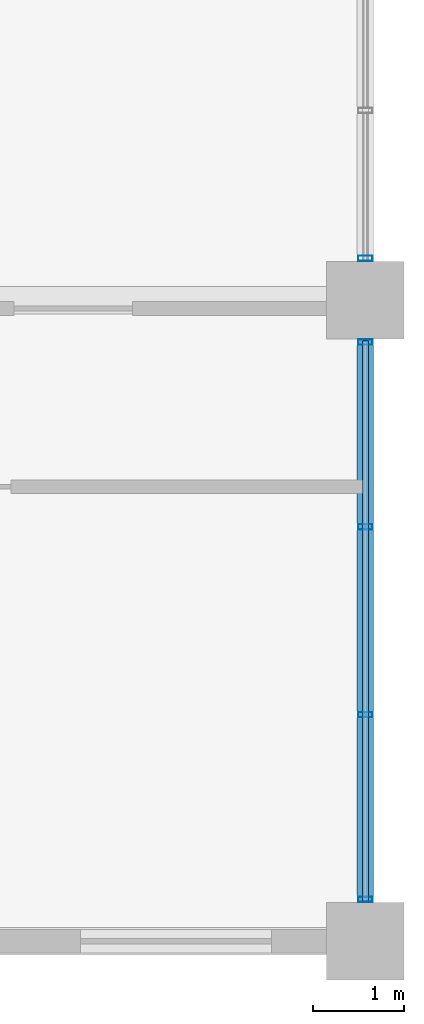
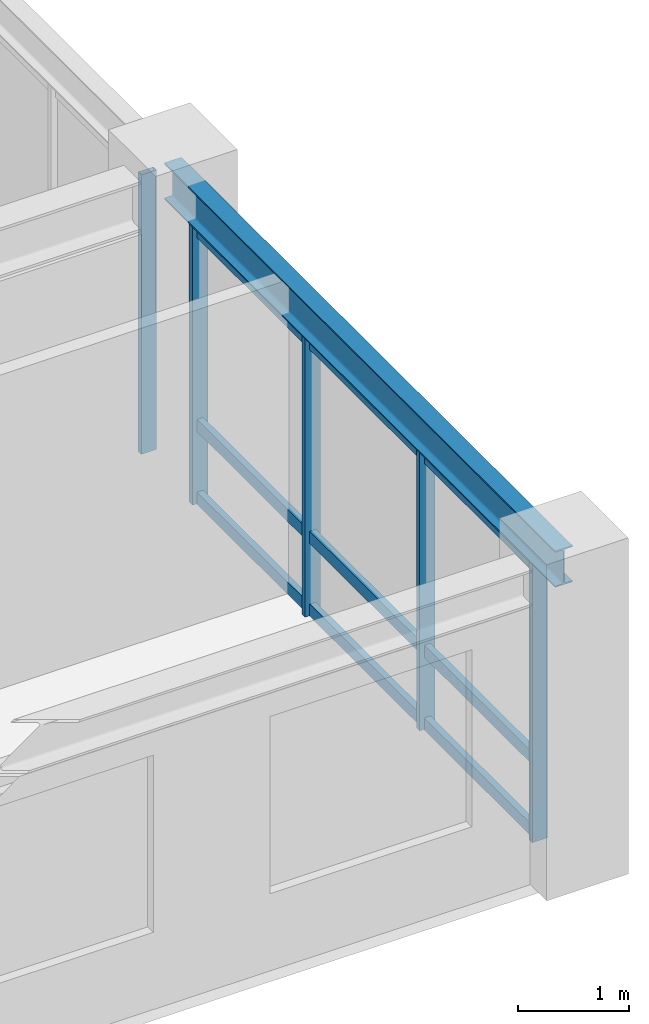
# One storey, part 2 of 11: 8 members, 1 beam, 2 elements without a shape of their own.
"""IFC4 building model written with IfcOpenShell, lengths in metres."""

import ifcopenshell
import ifcopenshell.guid

model = None  # the IFC model being written
_history = None  # IfcOwnerHistory: only IFC2X3 demands one
_inside = {}  # id of a spatial element -> (the spatial element, [elements in it])
_under = {}  # id of a project, library or spatial element -> (it, [spatial elements below it])
_declared = {}  # id of a project -> (the project, [libraries it declares])
_typed = {}  # id of a type object -> (the type object, [elements of that type])
_made_of = {}  # id of a material, layer set ... -> (it, [elements and type objects made of it])


def new_model(schema):
    """Start an empty IFC model of exactly this schema.

    Asked for "IFC4X3", IfcOpenShell would pick the latest addendum, in which some entities
    have other attributes; the version numbers below select the first issue.
    IFC2X3 requires an IfcOwnerHistory on every rooted entity: one is made here for all.
    """
    global model, _history
    if schema == "IFC4X3":
        model = ifcopenshell.file(schema_version=(4, 3, 0, 0))
    else:
        model = ifcopenshell.file(schema=schema)
    _inside.clear()
    _under.clear()
    _declared.clear()
    _typed.clear()
    _made_of.clear()
    _history = None
    if model.schema == "IFC2X3":
        org = make("IfcOrganization", Name="unknown")
        user = make(
            "IfcPersonAndOrganization",
            ThePerson=make("IfcPerson", FamilyName="unknown"),
            TheOrganization=org,
        )
        app = make(
            "IfcApplication",
            ApplicationDeveloper=org,
            Version="unknown",
            ApplicationFullName="unknown",
            ApplicationIdentifier="unknown",
        )
        _history = make(
            "IfcOwnerHistory",
            OwningUser=user,
            OwningApplication=app,
            ChangeAction="ADDED",
            CreationDate=0,
        )
    return model


def make(cls, **values):
    """One entity of the class cls with the attributes given. An attribute that is None is left unset."""
    return model.create_entity(
        cls, **{name: value for name, value in values.items() if value is not None}
    )


def rooted(cls, **values):
    """An entity with a GlobalId (a new one), such as an element, a storey or a relation."""
    return make(cls, GlobalId=ifcopenshell.guid.new(), OwnerHistory=_history, **values)


def si_unit(unit_type, name, prefix=None):
    """IfcSIUnit, for example si_unit("LENGTHUNIT", "METRE", prefix="MILLI")."""
    return make("IfcSIUnit", UnitType=unit_type, Prefix=prefix, Name=name)


def assignment(units):
    """IfcUnitAssignment: the units of a project."""
    return None if units is None else make("IfcUnitAssignment", Units=units)


def point(xyz):
    """IfcCartesianPoint."""
    return None if xyz is None else make("IfcCartesianPoint", Coordinates=xyz)


def direction(xyz):
    """IfcDirection."""
    return None if xyz is None else make("IfcDirection", DirectionRatios=xyz)


def frame(location, z_axis=None, x_axis=None):
    """IfcAxis2Placement3D, a coordinate frame: its origin and axes. An axis left out is left unset."""
    return make(
        "IfcAxis2Placement3D",
        Location=point(location),
        Axis=direction(z_axis),
        RefDirection=direction(x_axis),
    )


def frame_2d(location, x_axis=None):
    """IfcAxis2Placement2D, a coordinate frame in the plane: its origin and x axis."""
    return make(
        "IfcAxis2Placement2D", Location=point(location), RefDirection=direction(x_axis)
    )


def origin():
    """The frame at (0, 0, 0) with its axes left unset."""
    return frame((0.0, 0.0, 0.0))


def origin_2d():
    """The frame at (0, 0) in the plane with its x axis left unset."""
    return frame_2d((0.0, 0.0))


def place(relative_to, where):
    """IfcLocalPlacement: puts the frame where relative to a parent placement (None: the world)."""
    return make(
        "IfcLocalPlacement", PlacementRelTo=relative_to, RelativePlacement=where
    )


def context(
    kind, dimensions, precision=None, world=None, true_north=None, identifier=None
):
    """IfcGeometricRepresentationContext, for example the 3D "Model" context."""
    return make(
        "IfcGeometricRepresentationContext",
        ContextIdentifier=identifier,
        ContextType=kind,
        CoordinateSpaceDimension=dimensions,
        Precision=precision,
        WorldCoordinateSystem=world,
        TrueNorth=true_north,
    )


def subcontext(parent, identifier, kind, view, scale=None):
    """IfcGeometricRepresentationSubContext, for example "Body" below "Model"."""
    return make(
        "IfcGeometricRepresentationSubContext",
        ContextIdentifier=identifier,
        ContextType=kind,
        ParentContext=parent,
        TargetScale=scale,
        TargetView=view,
    )


def project(units=None, contexts=None):
    """IfcProject with its units and contexts."""
    return rooted(
        "IfcProject",
        Name="project",
        RepresentationContexts=contexts,
        UnitsInContext=assignment(units),
    )


def spatial(cls, under=None, at=None, **own):
    """A site, building, storey or space (cls), placed at a placement, below another one or the project."""
    s = rooted(cls, ObjectPlacement=at, **own)
    if under is not None:
        _under.setdefault(under.id(), (under, []))[1].append(s)
    return s


def profile(cls, at=None, kind="AREA", **sizes):
    """A parametric profile (cls). Its sizes go by their IFC names, for example OverallWidth=200.0."""
    return make(cls, ProfileType=kind, Position=at, **sizes)


def hollow_rectangle(**sizes):
    """IfcRectangleHollowProfileDef."""
    return profile("IfcRectangleHollowProfileDef", **sizes)


def i_section(**sizes):
    """IfcIShapeProfileDef."""
    return profile("IfcIShapeProfileDef", **sizes)


def extrude(swept, where, along, depth):
    """IfcExtrudedAreaSolid: the profile swept, set in the frame where, extruded along a direction by depth."""
    return make(
        "IfcExtrudedAreaSolid",
        SweptArea=swept,
        Position=where,
        ExtrudedDirection=direction(along),
        Depth=depth,
    )


def shape(context_of_items, identifier, shape_type, items):
    """IfcShapeRepresentation: the items that make up one representation, for example the "Body"."""
    return make(
        "IfcShapeRepresentation",
        ContextOfItems=context_of_items,
        RepresentationIdentifier=identifier,
        RepresentationType=shape_type,
        Items=items,
    )


def source(mapping_origin, context_of_items, identifier, shape_type, items):
    """IfcRepresentationMap: a shape defined once, which mapped items show again and again."""
    return make(
        "IfcRepresentationMap",
        MappingOrigin=mapping_origin,
        MappedRepresentation=shape(context_of_items, identifier, shape_type, items),
    )


def transform(
    local_origin,
    x_axis=None,
    y_axis=None,
    z_axis=None,
    scale=None,
    scale2=None,
    scale3=None,
    uniform=True,
):
    """IfcCartesianTransformationOperator3D, or its non-uniform kind. x_axis, y_axis, z_axis: its Axis1, 2, 3."""
    if uniform:
        return make(
            "IfcCartesianTransformationOperator3D",
            Axis1=direction(x_axis),
            Axis2=direction(y_axis),
            LocalOrigin=point(local_origin),
            Scale=scale,
            Axis3=direction(z_axis),
        )
    return make(
        "IfcCartesianTransformationOperator3DnonUniform",
        Axis1=direction(x_axis),
        Axis2=direction(y_axis),
        LocalOrigin=point(local_origin),
        Scale=scale,
        Axis3=direction(z_axis),
        Scale2=scale2,
        Scale3=scale3,
    )


def mapped(mapping_source, mapping_target):
    """IfcMappedItem: shows the shape of a source again, moved by a transform."""
    return make(
        "IfcMappedItem", MappingSource=mapping_source, MappingTarget=mapping_target
    )


def material(Name=None, Category=None):
    """IfcMaterial."""
    return make("IfcMaterial", Name=Name, Category=Category)


def layer(
    of_material, thickness, ventilated=None, Name=None, Category=None, Priority=None
):
    """IfcMaterialLayer: one layer of a wall or slab, of a material (None: an air gap)."""
    return make(
        "IfcMaterialLayer",
        Material=of_material,
        LayerThickness=thickness,
        IsVentilated=ventilated,
        Name=Name,
        Category=Category,
        Priority=Priority,
    )


def layer_set(layers, Name=None):
    """IfcMaterialLayerSet."""
    return make("IfcMaterialLayerSet", MaterialLayers=layers, LayerSetName=Name)


def material_profile(
    of_material, cross_section, Name=None, Category=None, Priority=None
):
    """IfcMaterialProfile: a cross section and its material."""
    return make(
        "IfcMaterialProfile",
        Name=Name,
        Material=of_material,
        Profile=cross_section,
        Priority=Priority,
        Category=Category,
    )


def profile_set(profiles, Name=None, composite=None):
    """IfcMaterialProfileSet."""
    return make(
        "IfcMaterialProfileSet",
        Name=Name,
        MaterialProfiles=profiles,
        CompositeProfile=composite,
    )


def made_of(thing, what):
    """Note that an element or type object is made of a material, layer set ...; save() writes the relation."""
    if what is not None:
        _made_of.setdefault(what.id(), (what, []))[1].append(thing)
    return thing


def type_object(cls, material=None, **own):
    """A type object (cls), such as IfcWallType, which elements share."""
    return made_of(rooted(cls, **own), material)


def element(
    cls,
    number,
    at=None,
    inside=None,
    cuts=None,
    type_object=None,
    material=None,
    context=None,
    identifier="Body",
    shape_type=None,
    held_by="IfcProductDefinitionShape",
    body=None,
    shapes=None,
    **own,
):
    """One element of the class cls, such as IfcWall. Its Tag is "e" and its number.

    at: its placement. inside: the storey or other place that contains it. cuts: it is an
    opening in that element (IfcRelVoidsElement). A single representation is given by context,
    identifier, shape_type and body (its items); several are given by shapes. held_by: the class
    of the entity that holds the representations. save() writes the other relations.
    """
    e = rooted(cls, Tag="e%d" % number, ObjectPlacement=at, **own)
    if body is not None:
        shapes = [shape(context, identifier, shape_type, body)]
    if shapes is not None:
        e.Representation = make(held_by, Representations=shapes)
    if inside is not None:
        _inside.setdefault(inside.id(), (inside, []))[1].append(e)
    if cuts is not None:
        rooted(
            "IfcRelVoidsElement", RelatingBuildingElement=cuts, RelatedOpeningElement=e
        )
    if type_object is not None:
        _typed.setdefault(type_object.id(), (type_object, []))[1].append(e)
    return made_of(e, material)


def aggregate(whole, parts):
    """IfcRelAggregates: a whole, such as a stair, and the parts it consists of."""
    return rooted("IfcRelAggregates", RelatingObject=whole, RelatedObjects=parts)


def save(model, path):
    """Write the relations noted so far, then the file.

    IfcRelAggregates (storeys below a building ...), IfcRelContainedInSpatialStructure (elements
    in a storey), IfcRelDefinesByType, IfcRelAssociatesMaterial and IfcRelDeclares: one each for
    every whole, place, type object, material and project.
    """
    for whole, parts in _under.values():
        aggregate(whole, parts)
    for where, things in _inside.values():
        rooted(
            "IfcRelContainedInSpatialStructure",
            RelatedElements=things,
            RelatingStructure=where,
        )
    for kind, things in _typed.values():
        rooted("IfcRelDefinesByType", RelatedObjects=things, RelatingType=kind)
    for what, things in _made_of.values():
        rooted("IfcRelAssociatesMaterial", RelatedObjects=things, RelatingMaterial=what)
    for by, libraries in _declared.values():
        rooted("IfcRelDeclares", RelatingContext=by, RelatedDefinitions=libraries)
    model.write(path)


model = new_model("IFC4")

# Units and contexts
model_context = context("Model", 3, precision=1e-05, world=origin(), true_north=direction((0.0, 1.0)))
body_context = subcontext(model_context, "Body", "Model", "MODEL_VIEW")
ifc_project = project(units=[si_unit("LENGTHUNIT", "METRE"), si_unit("AREAUNIT", "SQUARE_METRE"), si_unit("VOLUMEUNIT", "CUBIC_METRE"), si_unit("PLANEANGLEUNIT", "RADIAN"), si_unit("MASSUNIT", "GRAM", prefix="KILO")], contexts=[model_context])

# Site, building, storey
site_placement = place(None, origin())
site = spatial("IfcSite", under=ifc_project, at=site_placement, CompositionType="ELEMENT")
building_placement = place(site_placement, origin())
building = spatial("IfcBuilding", under=site, at=building_placement, Name="Kaliganga Portal Commons", CompositionType="ELEMENT")
storey_placement = place(building_placement, frame((0.0, 0.0, 272.10009765625)))
storey = spatial("IfcBuildingStorey", under=building, at=storey_placement, Name="L70", CompositionType="ELEMENT", Elevation=272.10009765625)

# Beam
ifc_material_1 = material(Name="Structural steel S355J2", Category="steel")
ifc_material_profile_1 = material_profile(ifc_material_1, i_section(OverallWidth=0.179931640625, OverallDepth=0.39990234375, WebThickness=0.008544921875, FlangeThickness=0.013427734375, FilletRadius=0.02099609375, at=origin_2d()), Name="IPE 400")
ifc_profile_set_1 = profile_set([ifc_material_profile_1], Name="Structural steel S355J2 wide-flange")
beam_type = type_object("IfcBeamType", Name="BM-FLR-400", PredefinedType="BEAM", material=ifc_profile_set_1)
shared_shape_1 = source(origin(), body_context, "Body", "SweptSolid", [
    extrude(i_section(OverallWidth=0.179931640625, OverallDepth=0.39990234375, WebThickness=0.008544921875, FlangeThickness=0.013427734375, FilletRadius=0.02099609375, at=origin_2d()), origin(), (0.0, 0.0, 1.0), 7.0498046875),
])
beam_placement = place(storey_placement, frame((46.800048828125, 21.60009765625, 3.27490234375), z_axis=(0.0, 1.0, 0.0), x_axis=(-1.0, 0.0, 0.0)))
element("IfcBeam", 1, at=beam_placement, inside=storey, type_object=beam_type, Name="BM G L70 AS468", PredefinedType="BEAM", context=body_context, shape_type="MappedRepresentation", body=[
    mapped(shared_shape_1, transform((0.0, 0.0, 0.0), x_axis=(1.0, 0.0, 0.0), y_axis=(0.0, 1.0, 0.0), z_axis=(0.0, 0.0, 1.0), scale=1.0)),
])

# Curtain wall, members
ifc_material_2 = material(Name="Anodized Aluminium and Laminated Low-E Glass", Category="aluminium")
ifc_layer = layer(ifc_material_2, 0.18994140625)
ifc_layer_set = layer_set([ifc_layer], Name="Anodized Aluminium and Laminated Low-E Glass")
curtain_wall_type = type_object("IfcCurtainWallType", Name="CW-SYS-05", PredefinedType="NOTDEFINED", material=ifc_layer_set)
curtain_wall_1_placement = place(storey_placement, origin())
curtain_wall_1 = element("IfcCurtainWall", 2, at=curtain_wall_1_placement, inside=storey, type_object=curtain_wall_type, Name="CW 05 L70 P1E01S1", PredefinedType="NOTDEFINED")
ifc_material_3 = material(Name="Dark Bronze Anodized Aluminium", Category="aluminium")
ifc_material_profile_2 = material_profile(ifc_material_3, hollow_rectangle(XDim=0.06005859375, YDim=0.159912109375, WallThickness=0.00341796875, at=origin_2d()), Name="ALU MULL 60x160x3.5")
ifc_profile_set_2 = profile_set([ifc_material_profile_2], Name="Dark Bronze Anodized Aluminium")
member_type_1 = type_object("IfcMemberType", Name="CW-MUL-160", PredefinedType="MULLION", material=ifc_profile_set_2)
shared_shape_2 = source(origin(), body_context, "Body", "SweptSolid", [
    extrude(hollow_rectangle(XDim=0.06005859375, YDim=0.159912109375, WallThickness=0.00341796875, at=origin_2d()), origin(), (0.0, 0.0, 1.0), 3.074951171875),
])
member_1_placement = place(storey_placement, frame((46.800048828125, 22.06103515625, 0.0), z_axis=(0.0, 0.0, 1.0), x_axis=(0.0, 1.0, 0.0)))
member_1 = element("IfcMember", 3, at=member_1_placement, type_object=member_type_1, Name="CW:05:L70:P1E01S1 Mullion 00", PredefinedType="MULLION", context=body_context, shape_type="MappedRepresentation", body=[
    mapped(shared_shape_2, transform((0.0, 0.0, 0.0), x_axis=(1.0, 0.0, 0.0), y_axis=(0.0, 1.0, 0.0), z_axis=(0.0, 0.0, 1.0), scale=1.0)),
])
member_2_placement = place(storey_placement, frame((46.800048828125, 24.092041015625, 0.0), z_axis=(0.0, 0.0, 1.0), x_axis=(0.0, 1.0, 0.0)))
member_2 = element("IfcMember", 4, at=member_2_placement, type_object=member_type_1, Name="CW:05:L70:P1E01S1 Mullion 01", PredefinedType="MULLION", context=body_context, shape_type="MappedRepresentation", body=[
    mapped(shared_shape_2, transform((0.0, 0.0, 0.0), x_axis=(1.0, 0.0, 0.0), y_axis=(0.0, 1.0, 0.0), z_axis=(0.0, 0.0, 1.0), scale=1.0)),
])
member_3_placement = place(storey_placement, frame((46.800048828125, 26.157958984375, 0.0), z_axis=(0.0, 0.0, 1.0), x_axis=(0.0, 1.0, 0.0)))
member_3 = element("IfcMember", 5, at=member_3_placement, type_object=member_type_1, Name="CW:05:L70:P1E01S1 Mullion 02", PredefinedType="MULLION", context=body_context, shape_type="MappedRepresentation", body=[
    mapped(shared_shape_2, transform((0.0, 0.0, 0.0), x_axis=(1.0, 0.0, 0.0), y_axis=(0.0, 1.0, 0.0), z_axis=(0.0, 0.0, 1.0), scale=1.0)),
])
member_4_placement = place(storey_placement, frame((46.800048828125, 28.18896484375, 0.0), z_axis=(0.0, 0.0, 1.0), x_axis=(0.0, 1.0, 0.0)))
member_4 = element("IfcMember", 6, at=member_4_placement, type_object=member_type_1, Name="CW:05:L70:P1E01S1 Mullion 03", PredefinedType="MULLION", context=body_context, shape_type="MappedRepresentation", body=[
    mapped(shared_shape_2, transform((0.0, 0.0, 0.0), x_axis=(1.0, 0.0, 0.0), y_axis=(0.0, 1.0, 0.0), z_axis=(0.0, 0.0, 1.0), scale=1.0)),
])

# Curtain wall, member
curtain_wall_2_placement = place(storey_placement, origin())
curtain_wall_2 = element("IfcCurtainWall", 7, at=curtain_wall_2_placement, inside=storey, type_object=curtain_wall_type, Name="CW 05 L70 P1E01S2", PredefinedType="NOTDEFINED")
member_5_placement = place(storey_placement, frame((46.800048828125, 29.111083984375, 0.0), z_axis=(0.0, 0.0, 1.0), x_axis=(0.0, 1.0, 0.0)))
member_5 = element("IfcMember", 8, at=member_5_placement, type_object=member_type_1, Name="CW:05:L70:P1E01S2 Mullion 00", PredefinedType="MULLION", context=body_context, shape_type="MappedRepresentation", body=[
    mapped(shared_shape_2, transform((0.0, 0.0, 0.0), x_axis=(1.0, 0.0, 0.0), y_axis=(0.0, 1.0, 0.0), z_axis=(0.0, 0.0, 1.0), scale=1.0)),
])
aggregate(curtain_wall_2, [member_5])

# Member
ifc_material_profile_3 = material_profile(ifc_material_3, hollow_rectangle(XDim=0.06494140625, YDim=0.135009765625, WallThickness=0.00341796875, at=origin_2d()), Name="ALU TRAN 65x135x3.5")
ifc_profile_set_3 = profile_set([ifc_material_profile_3], Name="Dark Bronze Anodized Aluminium")
member_type_2 = type_object("IfcMemberType", Name="CW-TRN-135", PredefinedType="USERDEFINED", material=ifc_profile_set_3)
shared_shape_3 = source(origin(), body_context, "Body", "SweptSolid", [
    extrude(hollow_rectangle(XDim=0.06494140625, YDim=0.135009765625, WallThickness=0.00341796875, at=origin_2d()), origin(), (0.0, 0.0, 1.0), 6.158203125),
])
member_6_placement = place(storey_placement, frame((46.800048828125, 22.0458984375, 0.059814453125), z_axis=(0.0, 1.0, 0.0), x_axis=(-1.0, 0.0, 0.0)))
member_6 = element("IfcMember", 9, at=member_6_placement, type_object=member_type_2, Name="CW:05:L70:P1E01S1 Transom 1", ObjectType="TRANSOM", PredefinedType="USERDEFINED", context=body_context, shape_type="MappedRepresentation", body=[
    mapped(shared_shape_3, transform((0.0, 0.0, 0.0), x_axis=(1.0, 0.0, 0.0), y_axis=(0.0, 1.0, 0.0), z_axis=(0.0, 0.0, 1.0), scale=1.0)),
])

member_7_placement = place(storey_placement, frame((46.800048828125, 22.0458984375, 0.86083984375), z_axis=(0.0, 1.0, 0.0), x_axis=(-1.0, 0.0, 0.0)))
member_7 = element("IfcMember", 10, at=member_7_placement, type_object=member_type_2, Name="CW:05:L70:P1E01S1 Transom 2", ObjectType="TRANSOM", PredefinedType="USERDEFINED", context=body_context, shape_type="MappedRepresentation", body=[
    mapped(shared_shape_3, transform((0.0, 0.0, 0.0), x_axis=(1.0, 0.0, 0.0), y_axis=(0.0, 1.0, 0.0), z_axis=(0.0, 0.0, 1.0), scale=1.0)),
])

member_8_placement = place(storey_placement, frame((46.800048828125, 22.0458984375, 2.994873046875), z_axis=(0.0, 1.0, 0.0), x_axis=(-1.0, 0.0, 0.0)))
member_8 = element("IfcMember", 11, at=member_8_placement, type_object=member_type_2, Name="CW:05:L70:P1E01S1 Transom 3", ObjectType="TRANSOM", PredefinedType="USERDEFINED", context=body_context, shape_type="MappedRepresentation", body=[
    mapped(shared_shape_3, transform((0.0, 0.0, 0.0), x_axis=(1.0, 0.0, 0.0), y_axis=(0.0, 1.0, 0.0), z_axis=(0.0, 0.0, 1.0), scale=1.0)),
])

aggregate(curtain_wall_1, [member_1, member_2, member_3, member_4, member_6, member_7, member_8])

save(model, "model.ifc")
